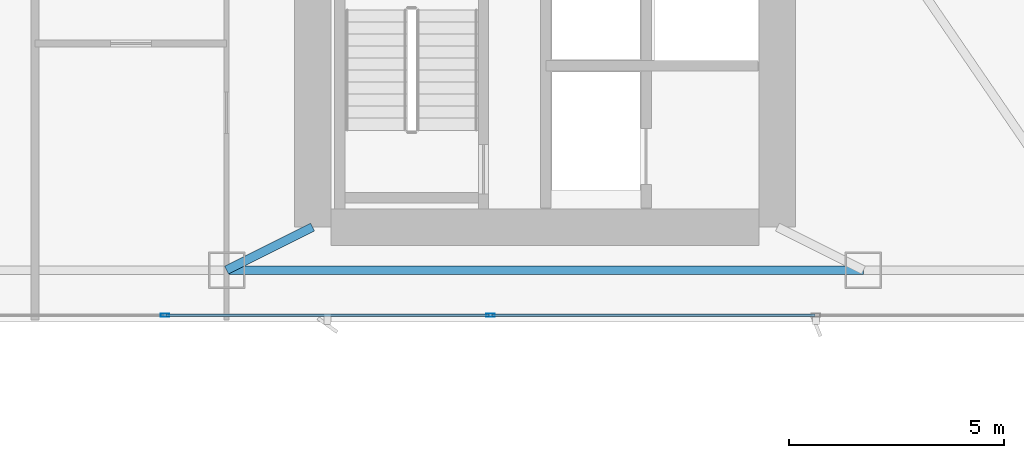
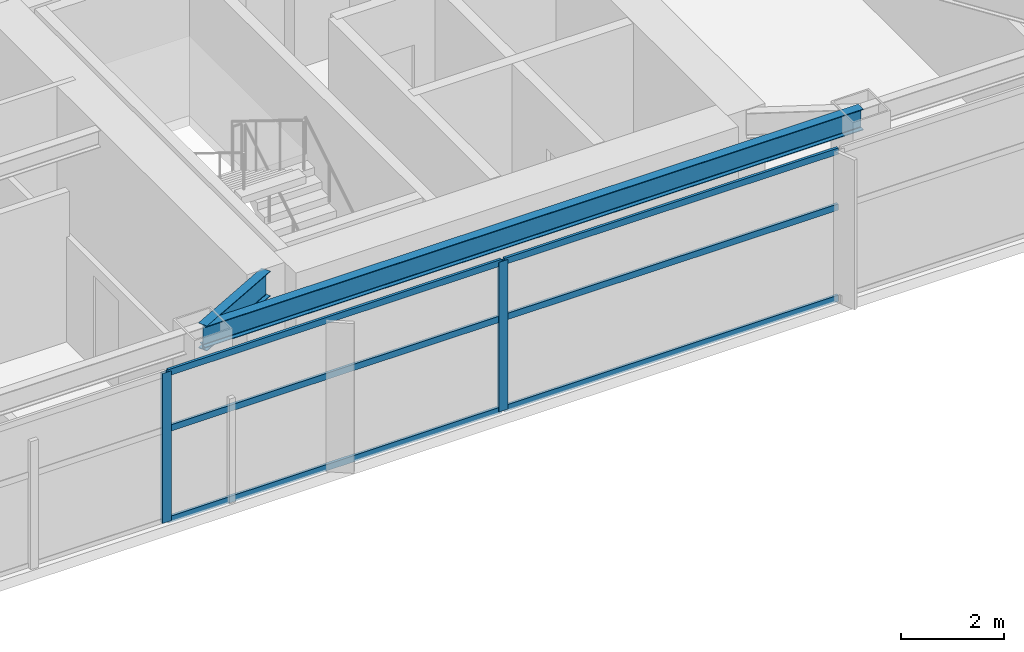
# One storey, part 6 of 29: 8 members, 2 beams, 1 element without a shape of its own.
"""IFC4 building model written with IfcOpenShell, lengths in metres."""

from ifc_helpers import new_model, si_unit, direction, frame, origin, origin_2d, place, context, subcontext, project, spatial, hollow_rectangle, i_section, extrude, material, layer, layer_set, material_profile, profile_set, type_object, element, aggregate, save


model = new_model("IFC4")

# Units and contexts
model_context = context("Model", 3, precision=1e-05, world=origin(), true_north=direction((0.0, 1.0)))
body_context = subcontext(model_context, "Body", "Model", "MODEL_VIEW")
ifc_project = project(units=[si_unit("LENGTHUNIT", "METRE"), si_unit("AREAUNIT", "SQUARE_METRE"), si_unit("VOLUMEUNIT", "CUBIC_METRE"), si_unit("PLANEANGLEUNIT", "RADIAN"), si_unit("MASSUNIT", "GRAM", prefix="KILO")], contexts=[model_context])

# Site, building, storey
site_placement = place(None, origin())
site = spatial("IfcSite", under=ifc_project, at=site_placement, CompositionType="ELEMENT")
building_placement = place(site_placement, origin())
building = spatial("IfcBuilding", under=site, at=building_placement, Name="Calvorn Quay Hotel", CompositionType="ELEMENT")
storey_placement = place(building_placement, frame((0.0, 0.0, 148.5)))
storey = spatial("IfcBuildingStorey", under=building, at=storey_placement, Name="L36", CompositionType="ELEMENT", Elevation=148.5)

# Beams
ifc_material_1 = material(Name="Steel Q355B", Category="steel")
ifc_material_profile_1 = material_profile(ifc_material_1, i_section(OverallWidth=0.199951171875, OverallDepth=0.60009765625, WebThickness=0.010986328125, FlangeThickness=0.01708984375, FilletRadius=0.01806640625, at=origin_2d()), Name="HN600x200x11x17")
ifc_profile_set_1 = profile_set([ifc_material_profile_1], Name="Steel Q355B")
beam_type_1 = type_object("IfcBeamType", Name="BM-GIRD-TYP", PredefinedType="BEAM", material=ifc_profile_set_1)
beam_1_placement = place(storey_placement, frame((19.60009765625, 3.60009765625, 3.239990234375), z_axis=(0.894427191, 0.4472135955, 0.0), x_axis=(-0.4472135955, 0.894427191, 0.0)))
element("IfcBeam", 1, at=beam_1_placement, inside=storey, type_object=beam_type_1, Name="Beam BG-L36-S2", PredefinedType="BEAM", context=body_context, shape_type="SweptSolid", body=[
    extrude(i_section(OverallWidth=0.199951171875, OverallDepth=0.60009765625, WebThickness=0.010986328125, FlangeThickness=0.01708984375, FilletRadius=0.01806640625, at=origin_2d()), origin(), (0.0, 0.0, 1.0), 2.236083984375),
])
ifc_material_2 = material(Name="Steel Q355B", Category="steel")
ifc_material_profile_2 = material_profile(ifc_material_2, i_section(OverallWidth=0.199951171875, OverallDepth=0.5, WebThickness=0.010009765625, FlangeThickness=0.01611328125, FilletRadius=0.01611328125, at=origin_2d()), Name="HN500x200x10x16")
ifc_profile_set_2 = profile_set([ifc_material_profile_2], Name="Steel Q355B")
beam_type_2 = type_object("IfcBeamType", Name="BM-SPANDREL-Z1", PredefinedType="SPANDREL", material=ifc_profile_set_2)
beam_2_placement = place(storey_placement, frame((19.60009765625, 3.60009765625, 3.2900390625), z_axis=(1.0, 0.0, 0.0), x_axis=(0.0, 1.0, 0.0)))
element("IfcBeam", 2, at=beam_2_placement, inside=storey, type_object=beam_type_2, Name="Beam BSP-L36-S3", PredefinedType="SPANDREL", context=body_context, shape_type="SweptSolid", body=[
    extrude(i_section(OverallWidth=0.199951171875, OverallDepth=0.5, WebThickness=0.010009765625, FlangeThickness=0.01611328125, FilletRadius=0.01611328125, at=origin_2d()), origin(), (0.0, 0.0, 1.0), 14.7998046875),
])

# Curtain wall, members
ifc_material_3 = material(Name="Pale Anodised Aluminium and Low-E Glass", Category="aluminium")
ifc_layer = layer(ifc_material_3, 0.219970703125)
ifc_layer_set = layer_set([ifc_layer], Name="CW-SYS-Z2")
curtain_wall_type = type_object("IfcCurtainWallType", Name="CW-SYS-Z2", PredefinedType="NOTDEFINED", material=ifc_layer_set)
curtain_wall_placement = place(storey_placement, origin())
curtain_wall = element("IfcCurtainWall", 3, at=curtain_wall_placement, inside=storey, type_object=curtain_wall_type, Name="Tower South Waterfront Curtain Wall (L36)", PredefinedType="NOTDEFINED")
ifc_material_4 = material(Name="Pale Anodised Aluminium 6063-T6", Category="aluminium")
ifc_material_profile_3 = material_profile(ifc_material_4, hollow_rectangle(XDim=0.070068359375, YDim=0.199951171875, WallThickness=0.00390625, at=origin_2d()), Name="ALU-M200x70x4")
ifc_profile_set_3 = profile_set([ifc_material_profile_3], Name="Pale Anodised Aluminium 6063-T6")
member_type_1 = type_object("IfcMemberType", Name="CW-SYS-Z2-MUL", PredefinedType="MULLION", material=ifc_profile_set_3)
member_1_placement = place(storey_placement, frame((18.166748046875, 2.550048828125, 0.0), z_axis=(0.0, 0.0, 1.0), x_axis=(0.0, 1.0, 0.0)))
member_1 = element("IfcMember", 4, at=member_1_placement, type_object=member_type_1, Name="CW-L36-S mullion 2", PredefinedType="MULLION", context=body_context, shape_type="SweptSolid", body=[
    extrude(hollow_rectangle(XDim=0.070068359375, YDim=0.199951171875, WallThickness=0.00390625, at=origin_2d()), origin(), (0.0, 0.0, 1.0), 3.56005859375),
])
member_2_placement = place(storey_placement, frame((25.7333984375, 2.550048828125, 0.0), z_axis=(0.0, 0.0, 1.0), x_axis=(0.0, 1.0, 0.0)))
member_2 = element("IfcMember", 5, at=member_2_placement, type_object=member_type_1, Name="CW-L36-S mullion 3", PredefinedType="MULLION", context=body_context, shape_type="SweptSolid", body=[
    extrude(hollow_rectangle(XDim=0.070068359375, YDim=0.199951171875, WallThickness=0.00390625, at=origin_2d()), origin(), (0.0, 0.0, 1.0), 3.56005859375),
])
ifc_material_5 = material(Name="Pale Anodised Aluminium 6063-T6", Category="aluminium")
ifc_material_profile_4 = material_profile(ifc_material_5, hollow_rectangle(XDim=0.06005859375, YDim=0.14990234375, WallThickness=0.00341796875, at=origin_2d()), Name="ALU-T150x60x3.5")
ifc_profile_set_4 = profile_set([ifc_material_profile_4], Name="Pale Anodised Aluminium 6063-T6")
member_type_2 = type_object("IfcMemberType", Name="CW-SYS-Z2-TRN", PredefinedType="USERDEFINED", material=ifc_profile_set_4)
member_3_placement = place(storey_placement, frame((18.19677734375, 2.550048828125, 0.030029296875), z_axis=(1.0, 0.0, 0.0), x_axis=(0.0, 1.0, 0.0)))
member_3 = element("IfcMember", 6, at=member_3_placement, type_object=member_type_2, Name="CW-L36-S transom 2.1", ObjectType="TRANSOM", PredefinedType="USERDEFINED", context=body_context, shape_type="SweptSolid", body=[
    extrude(hollow_rectangle(XDim=0.06005859375, YDim=0.14990234375, WallThickness=0.00341796875, at=origin_2d()), origin(), (0.0, 0.0, 1.0), 7.506591796875),
])
member_4_placement = place(storey_placement, frame((18.19677734375, 2.550048828125, 2.199951171875), z_axis=(1.0, 0.0, 0.0), x_axis=(0.0, 1.0, 0.0)))
member_4 = element("IfcMember", 7, at=member_4_placement, type_object=member_type_2, Name="CW-L36-S transom 2.2", ObjectType="TRANSOM", PredefinedType="USERDEFINED", context=body_context, shape_type="SweptSolid", body=[
    extrude(hollow_rectangle(XDim=0.06005859375, YDim=0.14990234375, WallThickness=0.00341796875, at=origin_2d()), origin(), (0.0, 0.0, 1.0), 7.506591796875),
])
member_5_placement = place(storey_placement, frame((18.19677734375, 2.550048828125, 3.530029296875), z_axis=(1.0, 0.0, 0.0), x_axis=(0.0, 1.0, 0.0)))
member_5 = element("IfcMember", 8, at=member_5_placement, type_object=member_type_2, Name="CW-L36-S transom 2.3", ObjectType="TRANSOM", PredefinedType="USERDEFINED", context=body_context, shape_type="SweptSolid", body=[
    extrude(hollow_rectangle(XDim=0.06005859375, YDim=0.14990234375, WallThickness=0.00341796875, at=origin_2d()), origin(), (0.0, 0.0, 1.0), 7.506591796875),
])
member_6_placement = place(storey_placement, frame((25.763427734375, 2.550048828125, 0.030029296875), z_axis=(1.0, 0.0, 0.0), x_axis=(0.0, 1.0, 0.0)))
member_6 = element("IfcMember", 9, at=member_6_placement, type_object=member_type_2, Name="CW-L36-S transom 3.1", ObjectType="TRANSOM", PredefinedType="USERDEFINED", context=body_context, shape_type="SweptSolid", body=[
    extrude(hollow_rectangle(XDim=0.06005859375, YDim=0.14990234375, WallThickness=0.00341796875, at=origin_2d()), origin(), (0.0, 0.0, 1.0), 7.506591796875),
])
member_7_placement = place(storey_placement, frame((25.763427734375, 2.550048828125, 2.199951171875), z_axis=(1.0, 0.0, 0.0), x_axis=(0.0, 1.0, 0.0)))
member_7 = element("IfcMember", 10, at=member_7_placement, type_object=member_type_2, Name="CW-L36-S transom 3.2", ObjectType="TRANSOM", PredefinedType="USERDEFINED", context=body_context, shape_type="SweptSolid", body=[
    extrude(hollow_rectangle(XDim=0.06005859375, YDim=0.14990234375, WallThickness=0.00341796875, at=origin_2d()), origin(), (0.0, 0.0, 1.0), 7.506591796875),
])
member_8_placement = place(storey_placement, frame((25.763427734375, 2.550048828125, 3.530029296875), z_axis=(1.0, 0.0, 0.0), x_axis=(0.0, 1.0, 0.0)))
member_8 = element("IfcMember", 11, at=member_8_placement, type_object=member_type_2, Name="CW-L36-S transom 3.3", ObjectType="TRANSOM", PredefinedType="USERDEFINED", context=body_context, shape_type="SweptSolid", body=[
    extrude(hollow_rectangle(XDim=0.06005859375, YDim=0.14990234375, WallThickness=0.00341796875, at=origin_2d()), origin(), (0.0, 0.0, 1.0), 7.506591796875),
])
aggregate(curtain_wall, [member_1, member_2, member_3, member_4, member_5, member_6, member_7, member_8])

save(model, "model.ifc")
